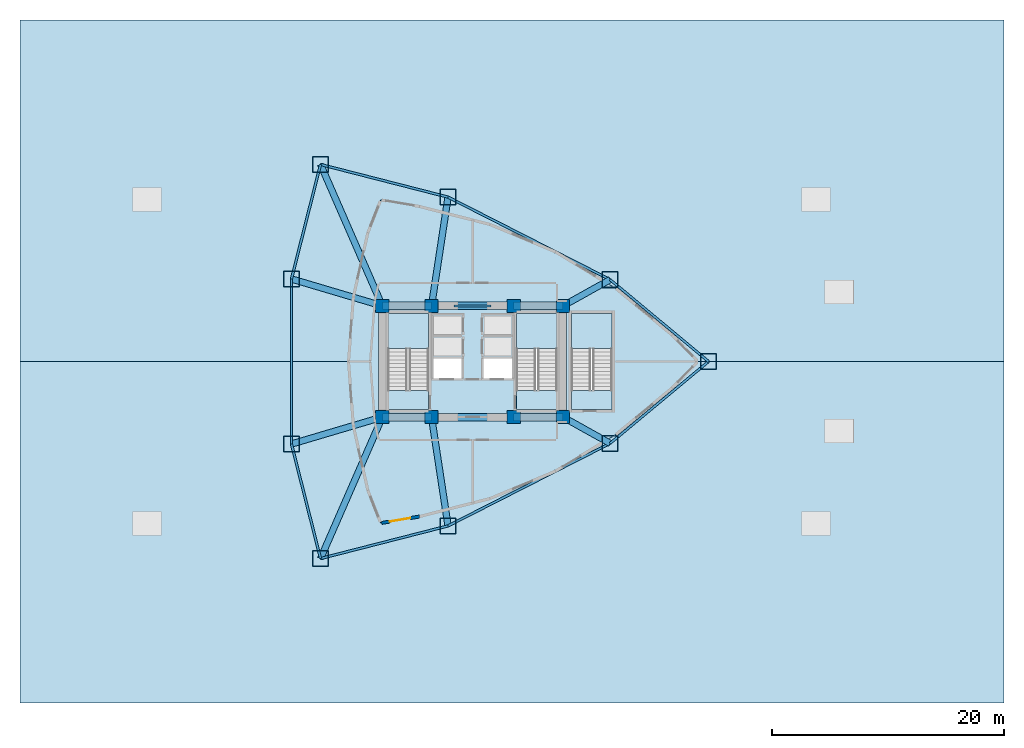
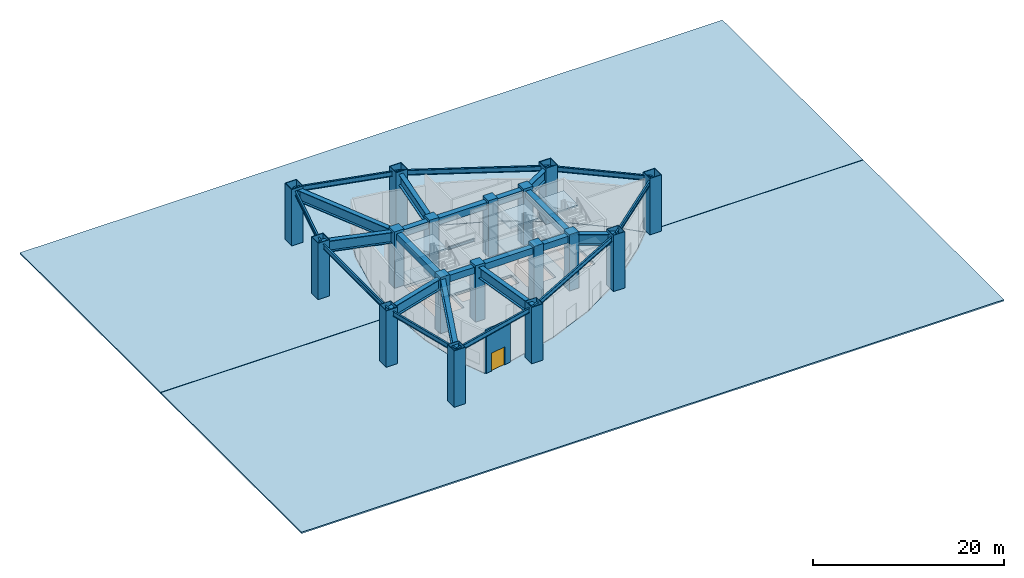
# One storey, part 1 of 7: 26 beams, 17 columns, 12 slabs, 1 door, 1 wall, 1 opening, 3 elements without a shape of their own.
"""IFC4 building model written with IfcOpenShell, lengths in metres."""

from ifc_helpers import new_model, si_unit, direction, frame, frame_2d, origin, origin_2d, place, context, subcontext, project, spatial, polyline, rectangle, hollow_rectangle, i_section, outline, extrude, material, layer, layer_set, material_profile, profile_set, type_object, element, fill, aggregate, save


model = new_model("IFC4")

# Units and contexts
model_context = context("Model", 3, precision=1e-05, world=origin(), true_north=direction((0.0, 1.0)))
body_context = subcontext(model_context, "Body", "Model", "MODEL_VIEW")
ifc_project = project(units=[si_unit("LENGTHUNIT", "METRE"), si_unit("AREAUNIT", "SQUARE_METRE"), si_unit("VOLUMEUNIT", "CUBIC_METRE"), si_unit("PLANEANGLEUNIT", "RADIAN"), si_unit("MASSUNIT", "GRAM", prefix="KILO")], contexts=[model_context])

# Site, building, storey
site_placement = place(None, origin())
site = spatial("IfcSite", under=ifc_project, at=site_placement, CompositionType="ELEMENT")
building_placement = place(site_placement, origin())
building = spatial("IfcBuilding", under=site, at=building_placement, Name="Menara Vayukalpa", CompositionType="ELEMENT")
storey_placement = place(building_placement, origin())
storey = spatial("IfcBuildingStorey", under=building, at=storey_placement, Name="L00", CompositionType="ELEMENT", Elevation=0.0)

# Columns
ifc_material_1 = material(Name="Concrete C80/95", Category="concrete")
ifc_material_profile_1 = material_profile(ifc_material_1, rectangle(XDim=1.14990234375, YDim=1.14990234375, at=origin_2d()), Name="RC 1150x1150")
ifc_profile_set_1 = profile_set([ifc_material_profile_1], Name="Concrete C80/95")
column_type_1 = type_object("IfcColumnType", Name="COL-CC1", PredefinedType="COLUMN", material=ifc_profile_set_1)
for number, where, z_axis, x_axis, name in (
    (1, (17.800048828125, 17.199951171875, 0.0), (0.0, 0.0, 1.0), (1.0, 0.0, 0.0), "L00 Core Pilaster Column CC1"),
    (2, (22.050048828125, 17.199951171875, 0.0), (0.0, 0.0, 1.0), (1.0, 0.0, 0.0), "L00 Core Pilaster Column CC2"),
    (3, (29.14990234375, 17.199951171875, 0.0), (0.0, 0.0, 1.0), (1.0, 0.0, 0.0), "L00 Core Pilaster Column CC3"),
    (4, (33.39990234375, 17.199951171875, 0.0), (0.0, 0.0, 1.0), (1.0, 0.0, 0.0), "L00 Core Pilaster Column CC4"),
    (5, (17.800048828125, 26.800048828125, 0.0), (0.0, 0.0, 1.0), (1.0, 0.0, 0.0), "L00 Core Pilaster Column CC5"),
    (6, (22.050048828125, 26.800048828125, 0.0), (0.0, 0.0, 1.0), (1.0, 0.0, 0.0), "L00 Core Pilaster Column CC6"),
    (7, (29.14990234375, 26.800048828125, 0.0), (0.0, 0.0, 1.0), (1.0, 0.0, 0.0), "L00 Core Pilaster Column CC7"),
    (8, (33.39990234375, 26.800048828125, 0.0), (0.0, 0.0, 1.0), (1.0, 0.0, 0.0), "L00 Core Pilaster Column CC8"),
):
    element("IfcColumn", number, at=place(storey_placement, frame(where, z_axis=z_axis, x_axis=x_axis)), inside=storey, type_object=column_type_1, Name=name, PredefinedType="COLUMN", context=body_context, shape_type="SweptSolid", body=[
        extrude(rectangle(XDim=1.14990234375, YDim=1.14990234375, at=origin_2d()), origin(), (0.0, 0.0, 1.0), 7.199951171875),
    ])
ifc_material_2 = material(Name="Steel S460", Category="steel")
ifc_material_profile_2 = material_profile(ifc_material_2, hollow_rectangle(XDim=1.39990234375, YDim=1.39990234375, WallThickness=0.054931640625, at=origin_2d()), Name="BOX 1400x1400x55")
ifc_profile_set_2 = profile_set([ifc_material_profile_2], Name="Steel S460")
column_type_2 = type_object("IfcColumnType", Name="COL-PL1", PredefinedType="USERDEFINED", material=ifc_profile_set_2)
for number, where, z_axis, x_axis, name in (
    (9, (45.979248046875, 22.0, 0.0), (0.0, 0.0, 1.0), (1.0, 0.0, 0.0), "L00 Pilotis Stilt Column P01"),
    (10, (37.47412109375, 29.07080078125, 0.0), (0.0, 0.0, 1.0), (1.0, 0.0, 0.0), "L00 Pilotis Stilt Column P02"),
    (11, (23.4755859375, 36.19970703125, 0.0), (0.0, 0.0, 1.0), (1.0, 0.0, 0.0), "L00 Pilotis Stilt Column P03"),
    (12, (12.46044921875, 39.01904296875, 0.0), (0.0, 0.0, 1.0), (1.0, 0.0, 0.0), "L00 Pilotis Stilt Column P04"),
    (13, (9.951904296875, 29.12890625, 0.0), (0.0, 0.0, 1.0), (1.0, 0.0, 0.0), "L00 Pilotis Stilt Column P05"),
    (14, (9.951904296875, 14.87109375, 0.0), (0.0, 0.0, 1.0), (1.0, 0.0, 0.0), "L00 Pilotis Stilt Column P06"),
    (15, (12.46044921875, 4.98095703125, 0.0), (0.0, 0.0, 1.0), (1.0, 0.0, 0.0), "L00 Pilotis Stilt Column P07"),
    (16, (23.4755859375, 7.80029296875, 0.0), (0.0, 0.0, 1.0), (1.0, 0.0, 0.0), "L00 Pilotis Stilt Column P08"),
    (17, (37.47412109375, 14.92919921875, 0.0), (0.0, 0.0, 1.0), (1.0, 0.0, 0.0), "L00 Pilotis Stilt Column P09"),
):
    element("IfcColumn", number, at=place(storey_placement, frame(where, z_axis=z_axis, x_axis=x_axis)), inside=storey, type_object=column_type_2, Name=name, ObjectType="PILOTIS", PredefinedType="USERDEFINED", context=body_context, shape_type="SweptSolid", body=[
        extrude(hollow_rectangle(XDim=1.39990234375, YDim=1.39990234375, WallThickness=0.054931640625, at=origin_2d()), origin(), (0.0, 0.0, 1.0), 7.199951171875),
    ])

# Beams
ifc_material_3 = material(Name="Concrete C60/75", Category="concrete")
ifc_material_profile_3 = material_profile(ifc_material_3, rectangle(XDim=0.64990234375, YDim=0.85009765625, at=origin_2d()), Name="RC 650x850")
ifc_profile_set_3 = profile_set([ifc_material_profile_3], Name="Concrete C60/75")
beam_type_1 = type_object("IfcBeamType", Name="BM-CB1", PredefinedType="BEAM", material=ifc_profile_set_3)
beam_1_placement = place(storey_placement, frame((17.800048828125, 17.199951171875, 6.455078125), z_axis=(1.0, 0.0, 0.0), x_axis=(0.0, 1.0, 0.0)))
element("IfcBeam", 18, at=beam_1_placement, inside=storey, type_object=beam_type_1, Name="L00 Core Tie Beam CBR1", PredefinedType="BEAM", context=body_context, shape_type="SweptSolid", body=[
    extrude(rectangle(XDim=0.64990234375, YDim=0.85009765625, at=origin_2d()), origin(), (0.0, 0.0, 1.0), 4.25),
])
beam_2_placement = place(storey_placement, frame((22.050048828125, 17.199951171875, 6.455078125), z_axis=(1.0, 0.0, 0.0), x_axis=(0.0, 1.0, 0.0)))
element("IfcBeam", 19, at=beam_2_placement, inside=storey, type_object=beam_type_1, Name="L00 Core Tie Beam CBR2", PredefinedType="BEAM", context=body_context, shape_type="SweptSolid", body=[
    extrude(rectangle(XDim=0.64990234375, YDim=0.85009765625, at=origin_2d()), origin(), (0.0, 0.0, 1.0), 7.099853515625),
])
for number, where, z_axis, x_axis, name in (
    (20, (29.14990234375, 17.199951171875, 6.455078125), (1.0, 0.0, 0.0), (0.0, 1.0, 0.0), "L00 Core Tie Beam CBR3"),
    (21, (17.800048828125, 26.800048828125, 6.455078125), (1.0, 0.0, 0.0), (0.0, 1.0, 0.0), "L00 Core Tie Beam CBR4"),
):
    element("IfcBeam", number, at=place(storey_placement, frame(where, z_axis=z_axis, x_axis=x_axis)), inside=storey, type_object=beam_type_1, Name=name, PredefinedType="BEAM", context=body_context, shape_type="SweptSolid", body=[
        extrude(rectangle(XDim=0.64990234375, YDim=0.85009765625, at=origin_2d()), origin(), (0.0, 0.0, 1.0), 4.25),
    ])
beam_3_placement = place(storey_placement, frame((22.050048828125, 26.800048828125, 6.455078125), z_axis=(1.0, 0.0, 0.0), x_axis=(0.0, 1.0, 0.0)))
element("IfcBeam", 22, at=beam_3_placement, inside=storey, type_object=beam_type_1, Name="L00 Core Tie Beam CBR5", PredefinedType="BEAM", context=body_context, shape_type="SweptSolid", body=[
    extrude(rectangle(XDim=0.64990234375, YDim=0.85009765625, at=origin_2d()), origin(), (0.0, 0.0, 1.0), 7.099853515625),
])
beam_4_placement = place(storey_placement, frame((29.14990234375, 26.800048828125, 6.455078125), z_axis=(1.0, 0.0, 0.0), x_axis=(0.0, 1.0, 0.0)))
element("IfcBeam", 23, at=beam_4_placement, inside=storey, type_object=beam_type_1, Name="L00 Core Tie Beam CBR6", PredefinedType="BEAM", context=body_context, shape_type="SweptSolid", body=[
    extrude(rectangle(XDim=0.64990234375, YDim=0.85009765625, at=origin_2d()), origin(), (0.0, 0.0, 1.0), 4.25),
])
for number, where, z_axis, x_axis, name in (
    (24, (17.800048828125, 17.199951171875, 6.455078125), (0.0, 1.0, 0.0), (-1.0, 0.0, 0.0), "L00 Core Tie Beam CBR7"),
    (25, (33.39990234375, 17.199951171875, 6.455078125), (0.0, 1.0, 0.0), (-1.0, 0.0, 0.0), "L00 Core Tie Beam CBR8"),
):
    element("IfcBeam", number, at=place(storey_placement, frame(where, z_axis=z_axis, x_axis=x_axis)), inside=storey, type_object=beam_type_1, Name=name, PredefinedType="BEAM", context=body_context, shape_type="SweptSolid", body=[
        extrude(rectangle(XDim=0.64990234375, YDim=0.85009765625, at=origin_2d()), origin(), (0.0, 0.0, 1.0), 9.60009765625),
    ])
ifc_material_4 = material(Name="Steel S355", Category="steel")
ifc_material_profile_4 = material_profile(ifc_material_4, i_section(OverallWidth=0.14990234375, OverallDepth=0.300048828125, WebThickness=0.006591796875, FlangeThickness=0.009033203125, at=origin_2d()), Name="WF 300x150x6.5x9")
ifc_profile_set_4 = profile_set([ifc_material_profile_4], Name="Steel S355")
beam_type_2 = type_object("IfcBeamType", Name="BM-LN1", PredefinedType="LINTEL", material=ifc_profile_set_4)
beam_5_placement = place(storey_placement, frame((24.0, 26.800048828125, 2.3798828125), z_axis=(1.0, 0.0, 0.0), x_axis=(0.0, 1.0, 0.0)))
element("IfcBeam", 26, at=beam_5_placement, inside=storey, type_object=beam_type_2, Name="L00 North Core Steel Lintel LN1", PredefinedType="LINTEL", context=body_context, shape_type="SweptSolid", body=[
    extrude(i_section(OverallWidth=0.14990234375, OverallDepth=0.300048828125, WebThickness=0.006591796875, FlangeThickness=0.009033203125, at=origin_2d()), origin(), (0.0, 0.0, 1.0), 3.199951171875),
])
ifc_material_5 = material(Name="Steel S355", Category="steel")
ifc_material_profile_5 = material_profile(ifc_material_5, i_section(OverallWidth=0.199951171875, OverallDepth=0.60009765625, WebThickness=0.010986328125, FlangeThickness=0.01708984375, at=origin_2d()), Name="WF 600x200x11x17")
ifc_profile_set_5 = profile_set([ifc_material_profile_5], Name="Steel S355")
beam_type_3 = type_object("IfcBeamType", Name="BM-SP1", PredefinedType="SPANDREL", material=ifc_profile_set_5)
beam_6_placement = place(storey_placement, frame((45.979248046875, 22.0, 6.580078125), z_axis=(-0.768967992195, 0.639287280477, 0.0), x_axis=(-0.639287280477, -0.768967992195, 0.0)))
element("IfcBeam", 27, at=beam_6_placement, inside=storey, type_object=beam_type_3, Name="L00 Perimeter Spandrel Beam SP01", PredefinedType="SPANDREL", context=body_context, shape_type="SweptSolid", body=[
    extrude(i_section(OverallWidth=0.199951171875, OverallDepth=0.60009765625, WebThickness=0.010986328125, FlangeThickness=0.01708984375, at=origin_2d()), origin(), (0.0, 0.0, 1.0), 11.060546875),
])
beam_7_placement = place(storey_placement, frame((37.47412109375, 29.07080078125, 6.580078125), z_axis=(-0.891101872915, 0.453803318726, 0.0), x_axis=(-0.453803318726, -0.891101872915, 0.0)))
element("IfcBeam", 28, at=beam_7_placement, inside=storey, type_object=beam_type_3, Name="L00 Perimeter Spandrel Beam SP02", PredefinedType="SPANDREL", context=body_context, shape_type="SweptSolid", body=[
    extrude(i_section(OverallWidth=0.199951171875, OverallDepth=0.60009765625, WebThickness=0.010986328125, FlangeThickness=0.01708984375, at=origin_2d()), origin(), (0.0, 0.0, 1.0), 15.709228515625),
])
beam_8_placement = place(storey_placement, frame((23.4755859375, 36.19970703125, 6.580078125), z_axis=(-0.968770804637, 0.247957915953, 0.0), x_axis=(-0.247957915953, -0.968770804637, 0.0)))
element("IfcBeam", 29, at=beam_8_placement, inside=storey, type_object=beam_type_3, Name="L00 Perimeter Spandrel Beam SP03", PredefinedType="SPANDREL", context=body_context, shape_type="SweptSolid", body=[
    extrude(i_section(OverallWidth=0.199951171875, OverallDepth=0.60009765625, WebThickness=0.010986328125, FlangeThickness=0.01708984375, at=origin_2d()), origin(), (0.0, 0.0, 1.0), 11.3701171875),
])
beam_9_placement = place(storey_placement, frame((12.46044921875, 39.01904296875, 6.580078125), z_axis=(-0.24585591488, -0.969306385576, 0.0), x_axis=(0.969306385576, -0.24585591488, 0.0)))
element("IfcBeam", 30, at=beam_9_placement, inside=storey, type_object=beam_type_3, Name="L00 Perimeter Spandrel Beam SP04", PredefinedType="SPANDREL", context=body_context, shape_type="SweptSolid", body=[
    extrude(i_section(OverallWidth=0.199951171875, OverallDepth=0.60009765625, WebThickness=0.010986328125, FlangeThickness=0.01708984375, at=origin_2d()), origin(), (0.0, 0.0, 1.0), 10.203369140625),
])
beam_10_placement = place(storey_placement, frame((9.951904296875, 29.12890625, 6.580078125), z_axis=(0.0, -1.0, 0.0), x_axis=(1.0, 0.0, 0.0)))
element("IfcBeam", 31, at=beam_10_placement, inside=storey, type_object=beam_type_3, Name="L00 Perimeter Spandrel Beam SP05", PredefinedType="SPANDREL", context=body_context, shape_type="SweptSolid", body=[
    extrude(i_section(OverallWidth=0.199951171875, OverallDepth=0.60009765625, WebThickness=0.010986328125, FlangeThickness=0.01708984375, at=origin_2d()), origin(), (0.0, 0.0, 1.0), 14.2578125),
])
beam_11_placement = place(storey_placement, frame((9.951904296875, 14.87109375, 6.580078125), z_axis=(0.24585591488, -0.969306385576, 0.0), x_axis=(0.969306385576, 0.24585591488, 0.0)))
element("IfcBeam", 32, at=beam_11_placement, inside=storey, type_object=beam_type_3, Name="L00 Perimeter Spandrel Beam SP06", PredefinedType="SPANDREL", context=body_context, shape_type="SweptSolid", body=[
    extrude(i_section(OverallWidth=0.199951171875, OverallDepth=0.60009765625, WebThickness=0.010986328125, FlangeThickness=0.01708984375, at=origin_2d()), origin(), (0.0, 0.0, 1.0), 10.203369140625),
])
beam_12_placement = place(storey_placement, frame((12.46044921875, 4.98095703125, 6.580078125), z_axis=(0.968770804637, 0.247957915953, 0.0), x_axis=(-0.247957915953, 0.968770804637, 0.0)))
element("IfcBeam", 33, at=beam_12_placement, inside=storey, type_object=beam_type_3, Name="L00 Perimeter Spandrel Beam SP07", PredefinedType="SPANDREL", context=body_context, shape_type="SweptSolid", body=[
    extrude(i_section(OverallWidth=0.199951171875, OverallDepth=0.60009765625, WebThickness=0.010986328125, FlangeThickness=0.01708984375, at=origin_2d()), origin(), (0.0, 0.0, 1.0), 11.3701171875),
])
beam_13_placement = place(storey_placement, frame((23.4755859375, 7.80029296875, 6.580078125), z_axis=(0.891101872915, 0.453803318726, 0.0), x_axis=(-0.453803318726, 0.891101872915, 0.0)))
element("IfcBeam", 34, at=beam_13_placement, inside=storey, type_object=beam_type_3, Name="L00 Perimeter Spandrel Beam SP08", PredefinedType="SPANDREL", context=body_context, shape_type="SweptSolid", body=[
    extrude(i_section(OverallWidth=0.199951171875, OverallDepth=0.60009765625, WebThickness=0.010986328125, FlangeThickness=0.01708984375, at=origin_2d()), origin(), (0.0, 0.0, 1.0), 15.709228515625),
])
beam_14_placement = place(storey_placement, frame((37.47412109375, 14.92919921875, 6.580078125), z_axis=(0.768967992195, 0.639287280477, 0.0), x_axis=(-0.639287280477, 0.768967992195, 0.0)))
element("IfcBeam", 35, at=beam_14_placement, inside=storey, type_object=beam_type_3, Name="L00 Perimeter Spandrel Beam SP09", PredefinedType="SPANDREL", context=body_context, shape_type="SweptSolid", body=[
    extrude(i_section(OverallWidth=0.199951171875, OverallDepth=0.60009765625, WebThickness=0.010986328125, FlangeThickness=0.01708984375, at=origin_2d()), origin(), (0.0, 0.0, 1.0), 11.060546875),
])
ifc_material_6 = material(Name="Steel S460", Category="steel")
ifc_material_profile_6 = material_profile(ifc_material_6, i_section(OverallWidth=0.550048828125, OverallDepth=1.39990234375, WebThickness=0.031982421875, FlangeThickness=0.06005859375, at=origin_2d()), Name="WG 1400x550x32x60")
ifc_profile_set_6 = profile_set([ifc_material_profile_6], Name="Steel S460")
beam_type_4 = type_object("IfcBeamType", Name="BM-TG1", PredefinedType="BEAM", material=ifc_profile_set_6)
beam_15_placement = place(storey_placement, frame((33.618408203125, 26.921630859375, 6.179931640625), z_axis=(0.873472891879, 0.486872783335, 0.0), x_axis=(-0.486872783335, 0.873472891879, 0.0)))
element("IfcBeam", 36, at=beam_15_placement, inside=storey, type_object=beam_type_4, Name="L00 Primary Radial Girder RG02", PredefinedType="BEAM", context=body_context, shape_type="SweptSolid", body=[
    extrude(i_section(OverallWidth=0.550048828125, OverallDepth=1.39990234375, WebThickness=0.031982421875, FlangeThickness=0.06005859375, at=origin_2d()), origin(), (0.0, 0.0, 1.0), 4.414306640625),
])
beam_16_placement = place(storey_placement, frame((22.08740234375, 27.047119140625, 6.179931640625), z_axis=(0.149956157605, 0.988692647285, 0.0), x_axis=(-0.988692647285, 0.149956157605, 0.0)))
element("IfcBeam", 37, at=beam_16_placement, inside=storey, type_object=beam_type_4, Name="L00 Primary Radial Girder RG03", PredefinedType="BEAM", context=body_context, shape_type="SweptSolid", body=[
    extrude(i_section(OverallWidth=0.550048828125, OverallDepth=1.39990234375, WebThickness=0.031982421875, FlangeThickness=0.06005859375, at=origin_2d()), origin(), (0.0, 0.0, 1.0), 9.25732421875),
])
beam_17_placement = place(storey_placement, frame((17.699951171875, 27.029052734375, 6.179931640625), z_axis=(-0.400426299501, 0.916328968585, 0.0), x_axis=(-0.916328968585, -0.400426299501, 0.0)))
element("IfcBeam", 38, at=beam_17_placement, inside=storey, type_object=beam_type_4, Name="L00 Primary Radial Girder RG04", PredefinedType="BEAM", context=body_context, shape_type="SweptSolid", body=[
    extrude(i_section(OverallWidth=0.550048828125, OverallDepth=1.39990234375, WebThickness=0.031982421875, FlangeThickness=0.06005859375, at=origin_2d()), origin(), (0.0, 0.0, 1.0), 13.084716796875),
])
for number, where, z_axis, x_axis, name in (
    (39, (17.560302734375, 26.87109375, 6.179931640625), (-0.958678858065, 0.284490504409, 0.0), (-0.284490504409, -0.958678858065, 0.0), "L00 Primary Radial Girder RG05"),
    (40, (17.560302734375, 17.12890625, 6.179931640625), (-0.958678858065, -0.284490504409, 0.0), (0.284490504409, -0.958678858065, 0.0), "L00 Primary Radial Girder RG06"),
):
    element("IfcBeam", number, at=place(storey_placement, frame(where, z_axis=z_axis, x_axis=x_axis)), inside=storey, type_object=beam_type_4, Name=name, PredefinedType="BEAM", context=body_context, shape_type="SweptSolid", body=[
        extrude(i_section(OverallWidth=0.550048828125, OverallDepth=1.39990234375, WebThickness=0.031982421875, FlangeThickness=0.06005859375, at=origin_2d()), origin(), (0.0, 0.0, 1.0), 7.936279296875),
    ])
beam_18_placement = place(storey_placement, frame((17.699951171875, 16.970947265625, 6.179931640625), z_axis=(-0.400426299501, -0.916328968585, 0.0), x_axis=(0.916328968585, -0.400426299501, 0.0)))
element("IfcBeam", 41, at=beam_18_placement, inside=storey, type_object=beam_type_4, Name="L00 Primary Radial Girder RG07", PredefinedType="BEAM", context=body_context, shape_type="SweptSolid", body=[
    extrude(i_section(OverallWidth=0.550048828125, OverallDepth=1.39990234375, WebThickness=0.031982421875, FlangeThickness=0.06005859375, at=origin_2d()), origin(), (0.0, 0.0, 1.0), 13.084716796875),
])
beam_19_placement = place(storey_placement, frame((22.08740234375, 16.952880859375, 6.179931640625), z_axis=(0.149956157605, -0.988692647285, 0.0), x_axis=(0.988692647285, 0.149956157605, 0.0)))
element("IfcBeam", 42, at=beam_19_placement, inside=storey, type_object=beam_type_4, Name="L00 Primary Radial Girder RG08", PredefinedType="BEAM", context=body_context, shape_type="SweptSolid", body=[
    extrude(i_section(OverallWidth=0.550048828125, OverallDepth=1.39990234375, WebThickness=0.031982421875, FlangeThickness=0.06005859375, at=origin_2d()), origin(), (0.0, 0.0, 1.0), 9.25732421875),
])
beam_20_placement = place(storey_placement, frame((33.618408203125, 17.078369140625, 6.179931640625), z_axis=(0.873472891879, -0.486872783335, 0.0), x_axis=(0.486872783335, 0.873472891879, 0.0)))
element("IfcBeam", 43, at=beam_20_placement, inside=storey, type_object=beam_type_4, Name="L00 Primary Radial Girder RG09", PredefinedType="BEAM", context=body_context, shape_type="SweptSolid", body=[
    extrude(i_section(OverallWidth=0.550048828125, OverallDepth=1.39990234375, WebThickness=0.031982421875, FlangeThickness=0.06005859375, at=origin_2d()), origin(), (0.0, 0.0, 1.0), 4.414306640625),
])

# Slab
ifc_material_7 = material(Name="Concrete C45/55", Category="concrete")
ifc_layer_1 = layer(ifc_material_7, 0.360107421875)
ifc_layer_set_1 = layer_set([ifc_layer_1], Name="Concrete C45/55")
slab_type_1 = type_object("IfcSlabType", Name="SLB-FL360", PredefinedType="FLOOR", material=ifc_layer_set_1)
slab_1_placement = place(storey_placement, frame((0.0, 0.0, -0.360107421875)))
element("IfcSlab", 44, at=slab_1_placement, inside=storey, type_object=slab_type_1, Name="L00 Structural Floor Slab", PredefinedType="FLOOR", context=body_context, shape_type="SweptSolid", body=[
    extrude(outline(polyline([(42.844970703125, 19.728759765625), (45.07470703125, 22.0), (42.844970703125, 24.271240234375), (38.010986328125, 28.27978515625), (32.76025390625, 31.469482421875), (27.09228515625, 33.84033203125), (21.00732421875, 35.392333984375), (17.66259765625, 35.960205078125), (16.547607421875, 33.12109375), (15.296630859375, 27.560546875), (14.87939453125, 22.0), (15.296630859375, 16.439453125), (16.547607421875, 10.87890625), (17.66259765625, 8.039794921875), (21.00732421875, 8.607666015625), (27.09228515625, 10.15966796875), (32.76025390625, 12.530517578125), (38.010986328125, 15.72021484375), (42.844970703125, 19.728759765625)]), holes=[polyline([(21.800048828125, 19.550048828125), (21.800048828125, 26.14990234375), (18.300048828125, 26.14990234375), (18.300048828125, 19.550048828125), (21.800048828125, 19.550048828125)]), polyline([(32.89990234375, 19.550048828125), (32.89990234375, 26.14990234375), (29.39990234375, 26.14990234375), (29.39990234375, 19.550048828125), (32.89990234375, 19.550048828125)]), polyline([(37.64990234375, 19.550048828125), (37.64990234375, 26.14990234375), (34.14990234375, 26.14990234375), (34.14990234375, 19.550048828125), (37.64990234375, 19.550048828125)]), polyline([(22.179931640625, 20.550048828125), (24.679931640625, 20.550048828125), (24.679931640625, 22.27001953125), (22.179931640625, 22.27001953125), (22.179931640625, 20.550048828125)]), polyline([(26.52001953125, 20.550048828125), (29.02001953125, 20.550048828125), (29.02001953125, 22.27001953125), (26.52001953125, 22.27001953125), (26.52001953125, 20.550048828125)])]), origin(), (0.0, 0.0, 1.0), 0.360107421875),
])

# Stair, slabs
ifc_material_8 = material(Name="Precast Concrete C40/50", Category="concrete")
stair_type = type_object("IfcStairType", Name="STR-T02", PredefinedType="DOUBLE_RETURN_STAIR", material=ifc_material_8)
stair_1_placement = place(storey_placement, origin())
stair_1 = element("IfcStair", 45, at=stair_1_placement, inside=storey, type_object=stair_type, Name="L00 Core Exit Stair ST-1", PredefinedType="DOUBLE_RETURN_STAIR")
ifc_material_9 = material(Name="Precast Concrete C40/50", Category="concrete")
ifc_layer_2 = layer(ifc_material_9, 0.199951171875)
ifc_layer_set_2 = layer_set([ifc_layer_2], Name="Precast Concrete C40/50")
slab_type_2 = type_object("IfcSlabType", Name="SLB-LND200", PredefinedType="LANDING", material=ifc_layer_set_2)
slab_2_placement = place(storey_placement, frame((0.0, 0.0, 1.60009765625)))
slab_2 = element("IfcSlab", 46, at=slab_2_placement, type_object=slab_type_2, Name="ST-1 landing 1", PredefinedType="LANDING", context=body_context, shape_type="SweptSolid", body=[
    extrude(outline(polyline([(21.800048828125, 23.1298828125), (21.800048828125, 26.14990234375), (18.300048828125, 26.14990234375), (18.300048828125, 23.1298828125), (21.800048828125, 23.1298828125)])), origin(), (0.0, 0.0, 1.0), 0.199951171875),
])
slab_3_placement = place(storey_placement, frame((0.0, 0.0, 3.39990234375)))
slab_3 = element("IfcSlab", 47, at=slab_3_placement, type_object=slab_type_2, Name="ST-1 landing 2", PredefinedType="LANDING", context=body_context, shape_type="SweptSolid", body=[
    extrude(outline(polyline([(21.800048828125, 17.85009765625), (21.800048828125, 19.5), (18.300048828125, 19.5), (18.300048828125, 17.85009765625), (21.800048828125, 17.85009765625)])), origin(), (0.0, 0.0, 1.0), 0.2001953125),
])
slab_4_placement = place(storey_placement, frame((0.0, 0.0, 5.199951171875)))
slab_4 = element("IfcSlab", 48, at=slab_4_placement, type_object=slab_type_2, Name="ST-1 landing 3", PredefinedType="LANDING", context=body_context, shape_type="SweptSolid", body=[
    extrude(outline(polyline([(21.800048828125, 23.1298828125), (21.800048828125, 26.14990234375), (18.300048828125, 26.14990234375), (18.300048828125, 23.1298828125), (21.800048828125, 23.1298828125)])), origin(), (0.0, 0.0, 1.0), 0.199951171875),
])
aggregate(stair_1, [slab_2, slab_3, slab_4])

stair_2_placement = place(storey_placement, origin())
stair_2 = element("IfcStair", 49, at=stair_2_placement, inside=storey, type_object=stair_type, Name="L00 Core Exit Stair ST-2", PredefinedType="DOUBLE_RETURN_STAIR")
slab_5_placement = place(storey_placement, frame((0.0, 0.0, 1.60009765625)))
slab_5 = element("IfcSlab", 50, at=slab_5_placement, type_object=slab_type_2, Name="ST-2 landing 1", PredefinedType="LANDING", context=body_context, shape_type="SweptSolid", body=[
    extrude(outline(polyline([(32.89990234375, 23.1298828125), (32.89990234375, 26.14990234375), (29.39990234375, 26.14990234375), (29.39990234375, 23.1298828125), (32.89990234375, 23.1298828125)])), origin(), (0.0, 0.0, 1.0), 0.199951171875),
])
slab_6_placement = place(storey_placement, frame((0.0, 0.0, 3.39990234375)))
slab_6 = element("IfcSlab", 51, at=slab_6_placement, type_object=slab_type_2, Name="ST-2 landing 2", PredefinedType="LANDING", context=body_context, shape_type="SweptSolid", body=[
    extrude(outline(polyline([(32.89990234375, 17.85009765625), (32.89990234375, 19.5), (29.39990234375, 19.5), (29.39990234375, 17.85009765625), (32.89990234375, 17.85009765625)])), origin(), (0.0, 0.0, 1.0), 0.2001953125),
])
slab_7_placement = place(storey_placement, frame((0.0, 0.0, 5.199951171875)))
slab_7 = element("IfcSlab", 52, at=slab_7_placement, type_object=slab_type_2, Name="ST-2 landing 3", PredefinedType="LANDING", context=body_context, shape_type="SweptSolid", body=[
    extrude(outline(polyline([(32.89990234375, 23.1298828125), (32.89990234375, 26.14990234375), (29.39990234375, 26.14990234375), (29.39990234375, 23.1298828125), (32.89990234375, 23.1298828125)])), origin(), (0.0, 0.0, 1.0), 0.199951171875),
])
aggregate(stair_2, [slab_5, slab_6, slab_7])

stair_3_placement = place(storey_placement, origin())
stair_3 = element("IfcStair", 53, at=stair_3_placement, inside=storey, type_object=stair_type, Name="L00 Podium Exit Stair ST-3", PredefinedType="DOUBLE_RETURN_STAIR")
slab_8_placement = place(storey_placement, frame((0.0, 0.0, 1.60009765625)))
slab_8 = element("IfcSlab", 54, at=slab_8_placement, type_object=slab_type_2, Name="ST-3 landing 1", PredefinedType="LANDING", context=body_context, shape_type="SweptSolid", body=[
    extrude(outline(polyline([(37.64990234375, 23.1298828125), (37.64990234375, 26.14990234375), (34.14990234375, 26.14990234375), (34.14990234375, 23.1298828125), (37.64990234375, 23.1298828125)])), origin(), (0.0, 0.0, 1.0), 0.199951171875),
])
slab_9_placement = place(storey_placement, frame((0.0, 0.0, 3.39990234375)))
slab_9 = element("IfcSlab", 55, at=slab_9_placement, type_object=slab_type_2, Name="ST-3 landing 2", PredefinedType="LANDING", context=body_context, shape_type="SweptSolid", body=[
    extrude(outline(polyline([(37.64990234375, 17.85009765625), (37.64990234375, 19.5), (34.14990234375, 19.5), (34.14990234375, 17.85009765625), (37.64990234375, 17.85009765625)])), origin(), (0.0, 0.0, 1.0), 0.2001953125),
])
slab_10_placement = place(storey_placement, frame((0.0, 0.0, 5.199951171875)))
slab_10 = element("IfcSlab", 56, at=slab_10_placement, type_object=slab_type_2, Name="ST-3 landing 3", PredefinedType="LANDING", context=body_context, shape_type="SweptSolid", body=[
    extrude(outline(polyline([(37.64990234375, 23.1298828125), (37.64990234375, 26.14990234375), (34.14990234375, 26.14990234375), (34.14990234375, 23.1298828125), (37.64990234375, 23.1298828125)])), origin(), (0.0, 0.0, 1.0), 0.199951171875),
])
aggregate(stair_3, [slab_8, slab_9, slab_10])

# Slabs
ifc_material_10 = material(Name="Concrete C35/45", Category="concrete")
ifc_layer_3 = layer(ifc_material_10, 0.179931640625)
ifc_layer_set_3 = layer_set([ifc_layer_3], Name="Concrete C35/45")
slab_type_3 = type_object("IfcSlabType", Name="SLB-PV180", PredefinedType="USERDEFINED", material=ifc_layer_set_3)
slab_11_placement = place(storey_placement, frame((0.0, 0.0, -0.179931640625)))
element("IfcSlab", 57, at=slab_11_placement, inside=storey, type_object=slab_type_3, Name="Ground Level Open Pilotis Civic Plaza Paving S", ObjectType="PAVING", PredefinedType="USERDEFINED", context=body_context, shape_type="SweptSolid", body=[
    extrude(outline(polyline([(-13.5, 21.97998046875), (14.87109375, 21.97998046875), (15.28662109375, 16.438720703125), (15.286865234375, 16.437255859375), (16.537841796875, 10.876708984375), (16.5380859375, 10.8759765625), (16.538330078125, 10.875244140625), (17.6533203125, 8.0361328125), (17.65380859375, 8.035400390625), (17.654296875, 8.034423828125), (17.65478515625, 8.03369140625), (17.655517578125, 8.032958984375), (17.656005859375, 8.0322265625), (17.656982421875, 8.03173828125), (17.65771484375, 8.03125), (17.65869140625, 8.03076171875), (17.659423828125, 8.030517578125), (17.660400390625, 8.030029296875), (17.661376953125, 8.030029296875), (17.662353515625, 8.02978515625), (17.663330078125, 8.02978515625), (17.664306640625, 8.030029296875), (21.009033203125, 8.597900390625), (21.010009765625, 8.597900390625), (27.094970703125, 10.14990234375), (27.09619140625, 10.150390625), (32.76416015625, 12.521240234375), (32.7646484375, 12.521484375), (32.765380859375, 12.52197265625), (38.016357421875, 15.711669921875), (38.017578125, 15.71240234375), (42.851318359375, 19.72119140625), (42.85205078125, 19.7216796875), (45.069091796875, 21.97998046875), (71.5, 21.97998046875), (71.5, -7.5), (-13.5, -7.5), (-13.5, 21.97998046875)])), origin(), (0.0, 0.0, 1.0), 0.179931640625),
])
slab_12_placement = place(storey_placement, frame((0.0, 0.0, -0.179931640625)))
element("IfcSlab", 58, at=slab_12_placement, inside=storey, type_object=slab_type_3, Name="Ground Level Open Pilotis Civic Plaza Paving N", ObjectType="PAVING", PredefinedType="USERDEFINED", context=body_context, shape_type="SweptSolid", body=[
    extrude(outline(polyline([(-13.5, 51.5), (71.5, 51.5), (71.5, 22.02001953125), (45.069091796875, 22.02001953125), (42.85205078125, 24.2783203125), (42.851318359375, 24.27880859375), (38.017578125, 28.28759765625), (38.016357421875, 28.288330078125), (32.765380859375, 31.47802734375), (32.7646484375, 31.478515625), (32.76416015625, 31.478759765625), (27.09619140625, 33.849609375), (27.094970703125, 33.85009765625), (21.010009765625, 35.402099609375), (21.009033203125, 35.402099609375), (17.664306640625, 35.969970703125), (17.663330078125, 35.97021484375), (17.662353515625, 35.97021484375), (17.661376953125, 35.969970703125), (17.660400390625, 35.969970703125), (17.659423828125, 35.969482421875), (17.65869140625, 35.96923828125), (17.65771484375, 35.96875), (17.656982421875, 35.96826171875), (17.656005859375, 35.9677734375), (17.655517578125, 35.967041015625), (17.65478515625, 35.96630859375), (17.654296875, 35.965576171875), (17.65380859375, 35.964599609375), (17.6533203125, 35.9638671875), (16.538330078125, 33.124755859375), (16.5380859375, 33.1240234375), (16.537841796875, 33.123291015625), (15.286865234375, 27.562744140625), (15.28662109375, 27.561279296875), (14.87109375, 22.02001953125), (-13.5, 22.02001953125), (-13.5, 51.5)])), origin(), (0.0, 0.0, 1.0), 0.179931640625),
])

# Wall, opening, door
ifc_material_11 = material(Name="Insulated Precast Concrete C40/50", Category="concrete")
ifc_layer_4 = layer(ifc_material_11, 0.260009765625)
ifc_layer_set_4 = layer_set([ifc_layer_4], Name="Insulated Precast Concrete C40/50")
wall_type = type_object("IfcWallType", Name="WAL-EXT260", PredefinedType="PARTITIONING", material=ifc_layer_set_4)
wall_placement = place(storey_placement, frame((21.01318359375, 8.608642578125, 0.0), z_axis=(0.0, 0.0, 1.0), x_axis=(-0.985893222855, -0.167375485445, 0.0)))
wall = element("IfcWall", 59, at=wall_placement, inside=storey, type_object=wall_type, Name="L00 Concourse Storefront Wall 04", PredefinedType="PARTITIONING", context=body_context, shape_type="SweptSolid", body=[
    extrude(rectangle(XDim=3.31103515625, YDim=0.260009765625, at=frame_2d((1.655517578125, 0.0))), origin(), (0.0, 0.0, 1.0), 5.429931640625),
])
opening_placement = place(wall_placement, frame((0.80224609375, 0.0, 0.0)))
opening = element("IfcOpeningElement", 60, at=opening_placement, cuts=wall, Name="Opening ED1", PredefinedType="OPENING", context=body_context, shape_type="SweptSolid", body=[
    extrude(rectangle(XDim=1.800048828125, YDim=2.300048828125, at=frame_2d((0.89990234375, 1.14990234375))), frame((0.0, 0.139892578125, 0.0), z_axis=(0.0, -1.0, 0.0), x_axis=(1.0, 0.0, 0.0)), (0.0, 0.0, 1.0), 0.280029296875),
])
ifc_material_12 = material(Name="Stainless Steel 316 Glazed Entrance Door", Category="steel")
door_type = type_object("IfcDoorType", Name="DR-EX180", OperationType="NOTDEFINED", PredefinedType="DOOR", material=ifc_material_12)
door_placement = place(opening_placement, origin())
door = element("IfcDoor", 61, at=door_placement, inside=storey, type_object=door_type, Name="Ground Final Exit Door ED-03", OperationType="DOUBLE_DOOR_SINGLE_SWING", OverallHeight=2.300048828125, OverallWidth=1.800048828125, PredefinedType="DOOR", context=body_context, shape_type="SweptSolid", body=[
    extrude(rectangle(XDim=1.800048828125, YDim=2.300048828125, at=frame_2d((0.89990234375, 1.14990234375))), frame((0.0, 0.02490234375, 0.0), z_axis=(0.0, -1.0, 0.0), x_axis=(1.0, 0.0, 0.0)), (0.0, 0.0, 1.0), 0.050048828125),
])
fill(opening, door)

save(model, "model.ifc")
